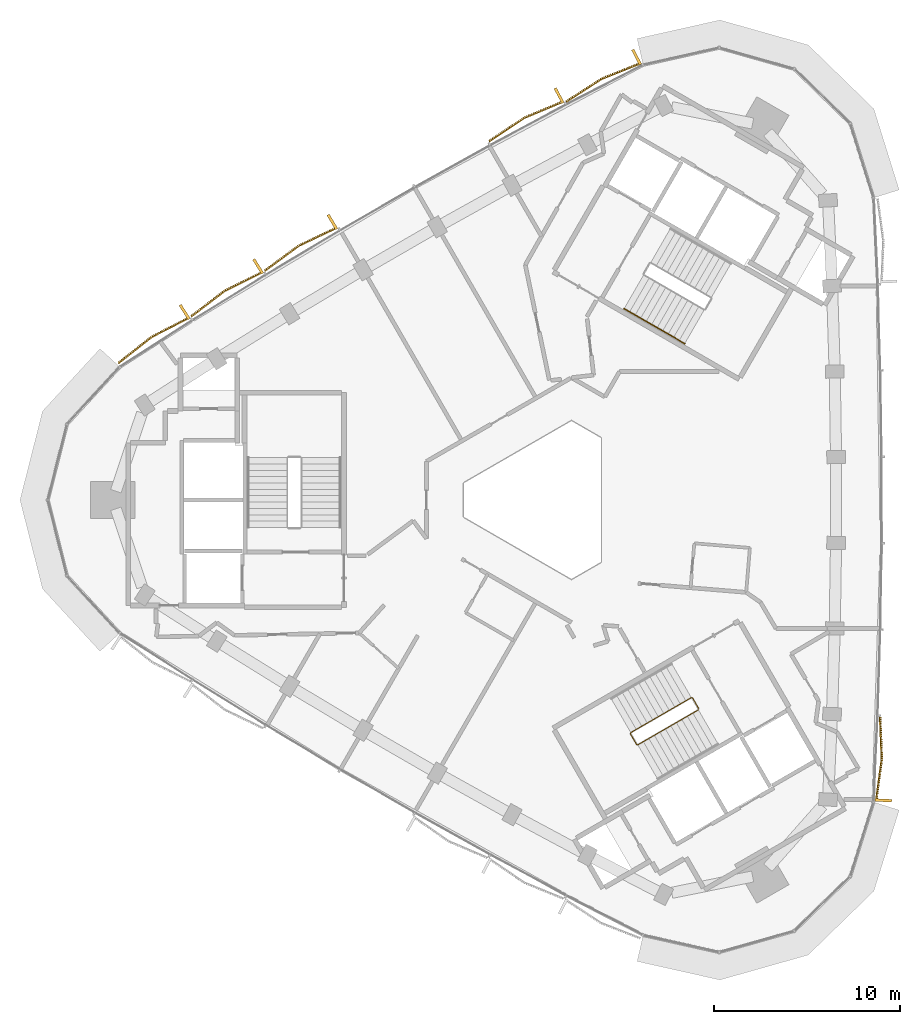
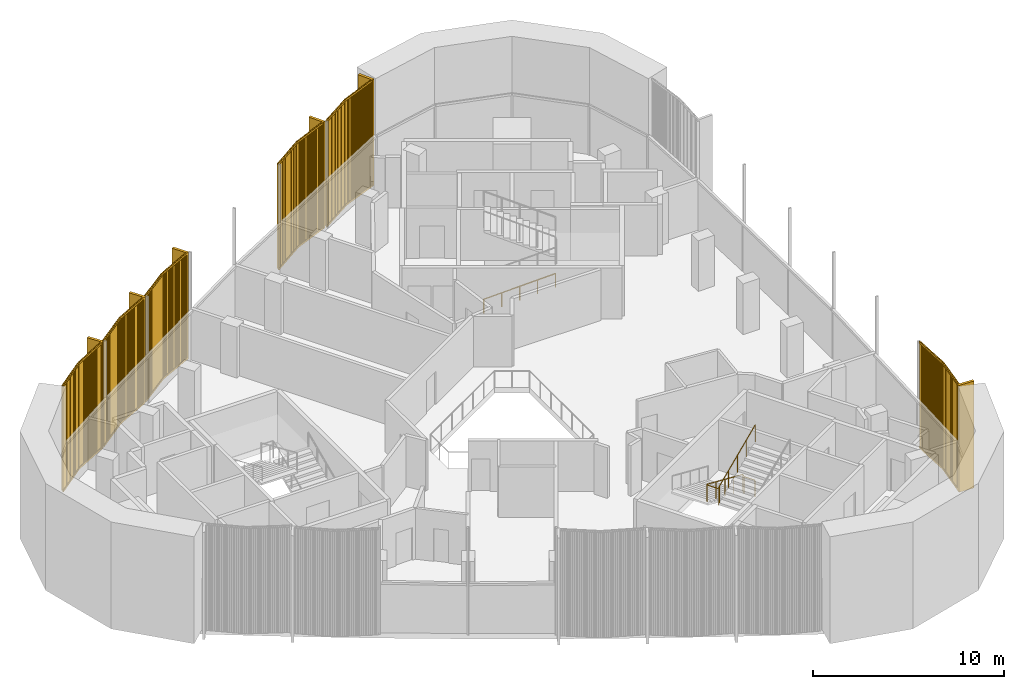
# One storey, part 11 of 12: 6 coverings, 2 railings.
"""IFC4 building model written with IfcOpenShell, lengths in metres."""

from ifc_helpers import new_model, si_unit, direction, frame, frame_2d, origin, origin_2d, place, context, subcontext, project, spatial, rectangle, circle, extrude, source, transform, mapped, material, type_object, element, save


model = new_model("IFC4")

# Units and contexts
model_context = context("Model", 3, precision=1e-05, world=origin(), true_north=direction((0.0, 1.0)))
body_context = subcontext(model_context, "Body", "Model", "MODEL_VIEW")
ifc_project = project(units=[si_unit("LENGTHUNIT", "METRE"), si_unit("AREAUNIT", "SQUARE_METRE"), si_unit("VOLUMEUNIT", "CUBIC_METRE"), si_unit("PLANEANGLEUNIT", "RADIAN"), si_unit("MASSUNIT", "GRAM", prefix="KILO")], contexts=[model_context])

# Site, building, storey
site_placement = place(None, origin())
site = spatial("IfcSite", under=ifc_project, at=site_placement, CompositionType="ELEMENT")
building_placement = place(site_placement, origin())
building = spatial("IfcBuilding", under=site, at=building_placement, Name="Tamra Quay Hotel Tower", CompositionType="ELEMENT")
storey_placement = place(building_placement, frame((0.0, 0.0, 273.0)))
storey = spatial("IfcBuildingStorey", under=building, at=storey_placement, Name="L69", CompositionType="ELEMENT", Elevation=273.0)

# Railings
ifc_material_1 = material(Name="Stair guard 1100")
railing_type_1 = type_object("IfcRailingType", Name="Stair guard 1100", PredefinedType="GUARDRAIL", material=ifc_material_1)
railing_1_placement = place(storey_placement, frame((8.245849609375, -11.221923828125, 0.0)))
element("IfcRailing", 1, at=railing_1_placement, inside=storey, type_object=railing_type_1, Name="GR", PredefinedType="GUARDRAIL", context=body_context, shape_type="SweptSolid", body=[
    extrude(circle(Radius=0.02392578125, at=origin_2d()), frame((0.0, 0.0, 1.076171875), z_axis=(-0.500043078269, 0.866000531106, 0.0), x_axis=(-0.866000531106, -0.500043078269, 0.0)), (0.0, 0.0, 1.0), 0.6591796875),
    extrude(circle(Radius=0.02392578125, at=origin_2d()), frame((-0.32958984375, 0.57080078125, 1.076171875), z_axis=(-0.41238007866, 0.110458949641, 0.904290601062), x_axis=(-0.258736085224, -0.965948051503, 0.0)), (0.0, 0.0, 1.0), 0.165771484375),
    extrude(circle(Radius=0.02392578125, at=origin_2d()), frame((-0.39794921875, 0.589111328125, 1.22607421875), z_axis=(-0.793081581205, -0.457901355053, 0.401681409319), x_axis=(0.500012686397, -0.866018079166, 0.0)), (0.0, 0.0, 1.0), 4.108154296875),
    extrude(circle(Radius=0.02392578125, at=origin_2d()), frame((-3.656005859375, -1.2919921875, 2.8759765625), z_axis=(-0.256368644879, -0.966579080015, 0.0), x_axis=(0.966579080015, -0.256368644879, 0.0)), (0.0, 0.0, 1.0), 0.070556640625),
    extrude(circle(Radius=0.02392578125, at=origin_2d()), frame((-3.674072265625, -1.360107421875, 2.8759765625), z_axis=(0.499765215335, -0.866160914346, 0.0), x_axis=(0.866160914346, 0.499765215335, 0.0)), (0.0, 0.0, 1.0), 0.658935546875),
    extrude(circle(Radius=0.02392578125, at=origin_2d()), frame((-3.3447265625, -1.930908203125, 2.8759765625), z_axis=(0.41238007866, -0.110458949641, 0.904290601062), x_axis=(0.258736085224, 0.965948051503, 0.0)), (0.0, 0.0, 1.0), 0.165771484375),
    extrude(circle(Radius=0.02392578125, at=origin_2d()), frame((-3.2763671875, -1.94921875, 3.02587890625), z_axis=(0.793081581205, 0.457901355053, 0.401681409319), x_axis=(-0.500012686397, 0.866018079166, 0.0)), (0.0, 0.0, 1.0), 4.108154296875),
    extrude(circle(Radius=0.02099609375, at=origin_2d()), origin(), (0.0, 0.0, 1.0), 1.052001953125),
    extrude(circle(Radius=0.02099609375, at=origin_2d()), frame((-0.32958984375, 0.57080078125, 0.0)), (0.0, 0.0, 1.0), 1.052001953125),
    extrude(circle(Radius=0.02099609375, at=origin_2d()), frame((-0.39794921875, 0.589111328125, 0.14990234375)), (0.0, 0.0, 1.0), 1.052001953125),
    extrude(circle(Radius=0.02099609375, at=origin_2d()), frame((-1.21240234375, 0.118896484375, 0.5625)), (0.0, 0.0, 1.0), 1.052001953125),
    extrude(circle(Radius=0.02099609375, at=origin_2d()), frame((-2.02685546875, -0.3515625, 0.97509765625)), (0.0, 0.0, 1.0), 1.052001953125),
    extrude(circle(Radius=0.02099609375, at=origin_2d()), frame((-2.841552734375, -0.82177734375, 1.387451171875)), (0.0, 0.0, 1.0), 1.052001953125),
    extrude(circle(Radius=0.02099609375, at=origin_2d()), frame((-3.656005859375, -1.2919921875, 1.800048828125)), (0.0, 0.0, 1.0), 1.052001953125),
    extrude(circle(Radius=0.02099609375, at=origin_2d()), frame((-3.674072265625, -1.360107421875, 1.800048828125)), (0.0, 0.0, 1.0), 1.052001953125),
    extrude(circle(Radius=0.02099609375, at=origin_2d()), frame((-3.3447265625, -1.930908203125, 1.800048828125)), (0.0, 0.0, 1.0), 1.052001953125),
    extrude(circle(Radius=0.02099609375, at=origin_2d()), frame((-3.2763671875, -1.94921875, 1.949951171875)), (0.0, 0.0, 1.0), 1.052001953125),
    extrude(circle(Radius=0.02099609375, at=origin_2d()), frame((-2.4619140625, -1.47900390625, 2.362548828125)), (0.0, 0.0, 1.0), 1.052001953125),
    extrude(circle(Radius=0.02099609375, at=origin_2d()), frame((-1.6474609375, -1.0087890625, 2.77490234375)), (0.0, 0.0, 1.0), 1.052001953125),
    extrude(circle(Radius=0.02099609375, at=origin_2d()), frame((-0.832763671875, -0.538330078125, 3.1875)), (0.0, 0.0, 1.0), 1.052001953125),
    extrude(circle(Radius=0.02099609375, at=origin_2d()), frame((-0.018310546875, -0.068115234375, 3.60009765625)), (0.0, 0.0, 1.0), 1.052001953125),
])
ifc_material_2 = material(Name="Stair handrail 900")
railing_type_2 = type_object("IfcRailingType", Name="Stair handrail 900", PredefinedType="HANDRAIL", material=ifc_material_2)
railing_2_placement = place(storey_placement, frame((4.234375, 10.294189453125, 0.14990234375)))
element("IfcRailing", 2, at=railing_2_placement, inside=storey, type_object=railing_type_2, Name="HR", PredefinedType="HANDRAIL", context=body_context, shape_type="SweptSolid", body=[
    extrude(circle(Radius=0.02392578125, at=origin_2d()), frame((0.0, 0.0, 0.8759765625), z_axis=(0.793103162556, -0.457854384738, 0.401692339881), x_axis=(0.499964013922, 0.86604617936, 0.0)), (0.0, 0.0, 1.0), 4.10791015625),
    extrude(circle(Radius=0.02099609375, at=origin_2d()), origin(), (0.0, 0.0, 1.0), 0.851806640625),
    extrude(circle(Radius=0.02099609375, at=origin_2d()), frame((0.814453125, -0.47021484375, 0.41259765625)), (0.0, 0.0, 1.0), 0.851806640625),
    extrude(circle(Radius=0.02099609375, at=origin_2d()), frame((1.62890625, -0.9404296875, 0.8251953125)), (0.0, 0.0, 1.0), 0.851806640625),
    extrude(circle(Radius=0.02099609375, at=origin_2d()), frame((2.443603515625, -1.41064453125, 1.237548828125)), (0.0, 0.0, 1.0), 0.851806640625),
    extrude(circle(Radius=0.02099609375, at=origin_2d()), frame((3.258056640625, -1.880859375, 1.650146484375)), (0.0, 0.0, 1.0), 0.851806640625),
])

# Coverings
ifc_material_3 = material(Name="Terracotta baguette extruded", Category="masonry")
covering_type_1 = type_object("IfcCoveringType", Name="BAGUETTE SCREEN E-V H6850", PredefinedType="USERDEFINED", material=ifc_material_3)
shared_shape_1 = source(origin(), body_context, "Body", "SweptSolid", [
    extrude(rectangle(XDim=2.291259765625, YDim=0.06005859375, at=frame_2d((1.1455078125, 0.030029296875))), frame((-2.287841796875, -0.057861328125, -0.1201171875), z_axis=(0.0, 0.0, 1.0), x_axis=(0.996194698092, -0.087155742748, 0.0)), (0.0, 0.0, 1.0), 0.1201171875),
    extrude(rectangle(XDim=2.291259765625, YDim=0.06005859375, at=frame_2d((1.1455078125, 0.030029296875))), frame((-2.287841796875, -0.057861328125, -6.85009765625), z_axis=(0.0, 0.0, 1.0), x_axis=(0.996194698092, -0.087155742748, 0.0)), (0.0, 0.0, 1.0), 0.1201171875),
    extrude(rectangle(XDim=0.070068359375, YDim=0.10009765625, at=frame_2d((0.03515625, 0.050048828125))), frame((-2.267822265625, -0.13232421875, -6.7900390625)), (0.0, 0.0, 1.0), 6.72998046875),
    extrude(rectangle(XDim=0.070068359375, YDim=0.10009765625, at=frame_2d((0.03515625, 0.050048828125))), frame((-2.168701171875, -0.14111328125, -6.7900390625)), (0.0, 0.0, 1.0), 6.72998046875),
    extrude(rectangle(XDim=0.070068359375, YDim=0.10009765625, at=frame_2d((0.03515625, 0.050048828125))), frame((-2.0693359375, -0.149658203125, -6.7900390625)), (0.0, 0.0, 1.0), 6.72998046875),
    extrude(rectangle(XDim=0.070068359375, YDim=0.10009765625, at=frame_2d((0.03515625, 0.050048828125))), frame((-1.97021484375, -0.158447265625, -6.7900390625)), (0.0, 0.0, 1.0), 6.72998046875),
    extrude(rectangle(XDim=0.070068359375, YDim=0.10009765625, at=frame_2d((0.03515625, 0.050048828125))), frame((-1.870849609375, -0.1669921875, -6.7900390625)), (0.0, 0.0, 1.0), 6.72998046875),
    extrude(rectangle(XDim=0.070068359375, YDim=0.10009765625, at=frame_2d((0.03515625, 0.050048828125))), frame((-1.771728515625, -0.17578125, -6.7900390625)), (0.0, 0.0, 1.0), 6.72998046875),
    extrude(rectangle(XDim=0.070068359375, YDim=0.10009765625, at=frame_2d((0.03515625, 0.050048828125))), frame((-1.67236328125, -0.184326171875, -6.7900390625)), (0.0, 0.0, 1.0), 6.72998046875),
    extrude(rectangle(XDim=0.070068359375, YDim=0.10009765625, at=frame_2d((0.03515625, 0.050048828125))), frame((-1.5732421875, -0.193115234375, -6.7900390625)), (0.0, 0.0, 1.0), 6.72998046875),
    extrude(rectangle(XDim=0.070068359375, YDim=0.10009765625, at=frame_2d((0.03515625, 0.050048828125))), frame((-1.473876953125, -0.201904296875, -6.7900390625)), (0.0, 0.0, 1.0), 6.72998046875),
    extrude(rectangle(XDim=0.070068359375, YDim=0.10009765625, at=frame_2d((0.03515625, 0.050048828125))), frame((-1.374755859375, -0.21044921875, -6.7900390625)), (0.0, 0.0, 1.0), 6.72998046875),
    extrude(rectangle(XDim=0.070068359375, YDim=0.10009765625, at=frame_2d((0.03515625, 0.050048828125))), frame((-1.275390625, -0.21923828125, -6.7900390625)), (0.0, 0.0, 1.0), 6.72998046875),
    extrude(rectangle(XDim=0.070068359375, YDim=0.10009765625, at=frame_2d((0.03515625, 0.050048828125))), frame((-1.17626953125, -0.227783203125, -6.7900390625)), (0.0, 0.0, 1.0), 6.72998046875),
    extrude(rectangle(XDim=0.070068359375, YDim=0.10009765625, at=frame_2d((0.03515625, 0.050048828125))), frame((-1.076904296875, -0.236572265625, -6.7900390625)), (0.0, 0.0, 1.0), 6.72998046875),
    extrude(rectangle(XDim=0.070068359375, YDim=0.10009765625, at=frame_2d((0.03515625, 0.050048828125))), frame((-0.977783203125, -0.2451171875, -6.7900390625)), (0.0, 0.0, 1.0), 6.72998046875),
    extrude(rectangle(XDim=0.070068359375, YDim=0.10009765625, at=frame_2d((0.03515625, 0.050048828125))), frame((-0.87841796875, -0.25390625, -6.7900390625)), (0.0, 0.0, 1.0), 6.72998046875),
    extrude(rectangle(XDim=0.070068359375, YDim=0.10009765625, at=frame_2d((0.03515625, 0.050048828125))), frame((-0.779296875, -0.2626953125, -6.7900390625)), (0.0, 0.0, 1.0), 6.72998046875),
    extrude(rectangle(XDim=0.070068359375, YDim=0.10009765625, at=frame_2d((0.03515625, 0.050048828125))), frame((-0.679931640625, -0.271240234375, -6.7900390625)), (0.0, 0.0, 1.0), 6.72998046875),
    extrude(rectangle(XDim=0.070068359375, YDim=0.10009765625, at=frame_2d((0.03515625, 0.050048828125))), frame((-0.580810546875, -0.280029296875, -6.7900390625)), (0.0, 0.0, 1.0), 6.72998046875),
    extrude(rectangle(XDim=0.070068359375, YDim=0.10009765625, at=frame_2d((0.03515625, 0.050048828125))), frame((-0.481689453125, -0.28857421875, -6.7900390625)), (0.0, 0.0, 1.0), 6.72998046875),
    extrude(rectangle(XDim=0.070068359375, YDim=0.10009765625, at=frame_2d((0.03515625, 0.050048828125))), frame((-0.38232421875, -0.29736328125, -6.7900390625)), (0.0, 0.0, 1.0), 6.72998046875),
    extrude(rectangle(XDim=0.070068359375, YDim=0.10009765625, at=frame_2d((0.03515625, 0.050048828125))), frame((-0.283203125, -0.305908203125, -6.7900390625)), (0.0, 0.0, 1.0), 6.72998046875),
    extrude(rectangle(XDim=0.070068359375, YDim=0.10009765625, at=frame_2d((0.03515625, 0.050048828125))), frame((-0.183837890625, -0.314697265625, -6.7900390625)), (0.0, 0.0, 1.0), 6.72998046875),
    extrude(rectangle(XDim=0.070068359375, YDim=0.10009765625, at=frame_2d((0.03515625, 0.050048828125))), frame((-0.084716796875, -0.3232421875, -6.7900390625)), (0.0, 0.0, 1.0), 6.72998046875),
    extrude(rectangle(XDim=2.291259765625, YDim=0.06005859375, at=frame_2d((1.1455078125, 0.030029296875))), frame((0.005126953125, -0.257568359375, -0.1201171875), z_axis=(0.0, 0.0, 1.0), x_axis=(0.996194698092, 0.087155742748, 0.0)), (0.0, 0.0, 1.0), 0.1201171875),
    extrude(rectangle(XDim=2.291259765625, YDim=0.06005859375, at=frame_2d((1.1455078125, 0.030029296875))), frame((0.005126953125, -0.257568359375, -6.85009765625), z_axis=(0.0, 0.0, 1.0), x_axis=(0.996194698092, 0.087155742748, 0.0)), (0.0, 0.0, 1.0), 0.1201171875),
    extrude(rectangle(XDim=0.070068359375, YDim=0.10009765625, at=frame_2d((0.03515625, 0.050048828125))), frame((0.0146484375, -0.3232421875, -6.7900390625)), (0.0, 0.0, 1.0), 6.72998046875),
    extrude(rectangle(XDim=0.070068359375, YDim=0.10009765625, at=frame_2d((0.03515625, 0.050048828125))), frame((0.11376953125, -0.314697265625, -6.7900390625)), (0.0, 0.0, 1.0), 6.72998046875),
    extrude(rectangle(XDim=0.070068359375, YDim=0.10009765625, at=frame_2d((0.03515625, 0.050048828125))), frame((0.213134765625, -0.305908203125, -6.7900390625)), (0.0, 0.0, 1.0), 6.72998046875),
    extrude(rectangle(XDim=0.070068359375, YDim=0.10009765625, at=frame_2d((0.03515625, 0.050048828125))), frame((0.312255859375, -0.29736328125, -6.7900390625)), (0.0, 0.0, 1.0), 6.72998046875),
    extrude(rectangle(XDim=0.070068359375, YDim=0.10009765625, at=frame_2d((0.03515625, 0.050048828125))), frame((0.41162109375, -0.28857421875, -6.7900390625)), (0.0, 0.0, 1.0), 6.72998046875),
    extrude(rectangle(XDim=0.070068359375, YDim=0.10009765625, at=frame_2d((0.03515625, 0.050048828125))), frame((0.5107421875, -0.280029296875, -6.7900390625)), (0.0, 0.0, 1.0), 6.72998046875),
    extrude(rectangle(XDim=0.070068359375, YDim=0.10009765625, at=frame_2d((0.03515625, 0.050048828125))), frame((0.610107421875, -0.271240234375, -6.7900390625)), (0.0, 0.0, 1.0), 6.72998046875),
    extrude(rectangle(XDim=0.070068359375, YDim=0.10009765625, at=frame_2d((0.03515625, 0.050048828125))), frame((0.709228515625, -0.2626953125, -6.7900390625)), (0.0, 0.0, 1.0), 6.72998046875),
    extrude(rectangle(XDim=0.070068359375, YDim=0.10009765625, at=frame_2d((0.03515625, 0.050048828125))), frame((0.80859375, -0.25390625, -6.7900390625)), (0.0, 0.0, 1.0), 6.72998046875),
    extrude(rectangle(XDim=0.070068359375, YDim=0.10009765625, at=frame_2d((0.03515625, 0.050048828125))), frame((0.90771484375, -0.2451171875, -6.7900390625)), (0.0, 0.0, 1.0), 6.72998046875),
    extrude(rectangle(XDim=0.070068359375, YDim=0.10009765625, at=frame_2d((0.03515625, 0.050048828125))), frame((1.007080078125, -0.236572265625, -6.7900390625)), (0.0, 0.0, 1.0), 6.72998046875),
    extrude(rectangle(XDim=0.070068359375, YDim=0.10009765625, at=frame_2d((0.03515625, 0.050048828125))), frame((1.106201171875, -0.227783203125, -6.7900390625)), (0.0, 0.0, 1.0), 6.72998046875),
    extrude(rectangle(XDim=0.070068359375, YDim=0.10009765625, at=frame_2d((0.03515625, 0.050048828125))), frame((1.20556640625, -0.21923828125, -6.7900390625)), (0.0, 0.0, 1.0), 6.72998046875),
    extrude(rectangle(XDim=0.070068359375, YDim=0.10009765625, at=frame_2d((0.03515625, 0.050048828125))), frame((1.3046875, -0.21044921875, -6.7900390625)), (0.0, 0.0, 1.0), 6.72998046875),
    extrude(rectangle(XDim=0.070068359375, YDim=0.10009765625, at=frame_2d((0.03515625, 0.050048828125))), frame((1.404052734375, -0.201904296875, -6.7900390625)), (0.0, 0.0, 1.0), 6.72998046875),
    extrude(rectangle(XDim=0.070068359375, YDim=0.10009765625, at=frame_2d((0.03515625, 0.050048828125))), frame((1.503173828125, -0.193115234375, -6.7900390625)), (0.0, 0.0, 1.0), 6.72998046875),
    extrude(rectangle(XDim=0.070068359375, YDim=0.10009765625, at=frame_2d((0.03515625, 0.050048828125))), frame((1.6025390625, -0.184326171875, -6.7900390625)), (0.0, 0.0, 1.0), 6.72998046875),
    extrude(rectangle(XDim=0.070068359375, YDim=0.10009765625, at=frame_2d((0.03515625, 0.050048828125))), frame((1.70166015625, -0.17578125, -6.7900390625)), (0.0, 0.0, 1.0), 6.72998046875),
    extrude(rectangle(XDim=0.070068359375, YDim=0.10009765625, at=frame_2d((0.03515625, 0.050048828125))), frame((1.801025390625, -0.1669921875, -6.7900390625)), (0.0, 0.0, 1.0), 6.72998046875),
    extrude(rectangle(XDim=0.070068359375, YDim=0.10009765625, at=frame_2d((0.03515625, 0.050048828125))), frame((1.900146484375, -0.158447265625, -6.7900390625)), (0.0, 0.0, 1.0), 6.72998046875),
    extrude(rectangle(XDim=0.070068359375, YDim=0.10009765625, at=frame_2d((0.03515625, 0.050048828125))), frame((1.99951171875, -0.149658203125, -6.7900390625)), (0.0, 0.0, 1.0), 6.72998046875),
    extrude(rectangle(XDim=0.070068359375, YDim=0.10009765625, at=frame_2d((0.03515625, 0.050048828125))), frame((2.0986328125, -0.14111328125, -6.7900390625)), (0.0, 0.0, 1.0), 6.72998046875),
    extrude(rectangle(XDim=0.070068359375, YDim=0.10009765625, at=frame_2d((0.03515625, 0.050048828125))), frame((2.197998046875, -0.13232421875, -6.7900390625)), (0.0, 0.0, 1.0), 6.72998046875),
    extrude(rectangle(XDim=0.14990234375, YDim=0.902099609375, at=frame_2d((0.074951171875, 0.451171875))), frame((-2.282470703125, -0.89990234375, -6.85009765625)), (0.0, 0.0, 1.0), 6.85009765625),
])
covering_placement = place(storey_placement, frame((17.83544921875, -13.934326171875, 6.85009765625), z_axis=(0.0, 0.0, 1.0), x_axis=(0.046821223335, 0.998903285131, 0.0)))
element("IfcCovering", 3, at=covering_placement, inside=storey, type_object=covering_type_1, Name="Baguette screen L69.E.f00", ObjectType="BAGUETTE SCREEN", PredefinedType="USERDEFINED", context=body_context, shape_type="MappedRepresentation", body=[
    mapped(shared_shape_1, transform((0.0, 0.0, 0.0), scale=1.0)),
])
covering_type_2 = type_object("IfcCoveringType", Name="BAGUETTE SCREEN NW-V H6850", PredefinedType="USERDEFINED", material=ifc_material_3)
shared_shape_2 = source(origin(), body_context, "Body", "SweptSolid", [
    extrude(rectangle(XDim=2.29296875, YDim=0.06005859375, at=frame_2d((1.146484375, 0.030029296875))), frame((-2.288330078125, -0.0576171875, -0.1201171875), z_axis=(0.0, 0.0, 1.0), x_axis=(0.995396198367, -0.09584575252, 0.0)), (0.0, 0.0, 1.0), 0.1201171875),
    extrude(rectangle(XDim=2.29296875, YDim=0.06005859375, at=frame_2d((1.146484375, 0.030029296875))), frame((-2.288330078125, -0.0576171875, -6.85009765625), z_axis=(0.0, 0.0, 1.0), x_axis=(0.995396198367, -0.09584575252, 0.0)), (0.0, 0.0, 1.0), 0.1201171875),
    extrude(rectangle(XDim=0.070068359375, YDim=0.10009765625, at=frame_2d((0.03515625, 0.050048828125))), frame((-2.267822265625, -0.1328125, -6.7900390625)), (0.0, 0.0, 1.0), 6.72998046875),
    extrude(rectangle(XDim=0.070068359375, YDim=0.10009765625, at=frame_2d((0.03515625, 0.050048828125))), frame((-2.168701171875, -0.142333984375, -6.7900390625)), (0.0, 0.0, 1.0), 6.72998046875),
    extrude(rectangle(XDim=0.070068359375, YDim=0.10009765625, at=frame_2d((0.03515625, 0.050048828125))), frame((-2.0693359375, -0.15185546875, -6.7900390625)), (0.0, 0.0, 1.0), 6.72998046875),
    extrude(rectangle(XDim=0.070068359375, YDim=0.10009765625, at=frame_2d((0.03515625, 0.050048828125))), frame((-1.97021484375, -0.161376953125, -6.7900390625)), (0.0, 0.0, 1.0), 6.72998046875),
    extrude(rectangle(XDim=0.070068359375, YDim=0.10009765625, at=frame_2d((0.03515625, 0.050048828125))), frame((-1.870849609375, -0.1708984375, -6.7900390625)), (0.0, 0.0, 1.0), 6.72998046875),
    extrude(rectangle(XDim=0.070068359375, YDim=0.10009765625, at=frame_2d((0.03515625, 0.050048828125))), frame((-1.771728515625, -0.1806640625, -6.7900390625)), (0.0, 0.0, 1.0), 6.72998046875),
    extrude(rectangle(XDim=0.070068359375, YDim=0.10009765625, at=frame_2d((0.03515625, 0.050048828125))), frame((-1.67236328125, -0.190185546875, -6.7900390625)), (0.0, 0.0, 1.0), 6.72998046875),
    extrude(rectangle(XDim=0.070068359375, YDim=0.10009765625, at=frame_2d((0.03515625, 0.050048828125))), frame((-1.5732421875, -0.19970703125, -6.7900390625)), (0.0, 0.0, 1.0), 6.72998046875),
    extrude(rectangle(XDim=0.070068359375, YDim=0.10009765625, at=frame_2d((0.03515625, 0.050048828125))), frame((-1.473876953125, -0.209228515625, -6.7900390625)), (0.0, 0.0, 1.0), 6.72998046875),
    extrude(rectangle(XDim=0.070068359375, YDim=0.10009765625, at=frame_2d((0.03515625, 0.050048828125))), frame((-1.374755859375, -0.21875, -6.7900390625)), (0.0, 0.0, 1.0), 6.72998046875),
    extrude(rectangle(XDim=0.070068359375, YDim=0.10009765625, at=frame_2d((0.03515625, 0.050048828125))), frame((-1.275390625, -0.228271484375, -6.7900390625)), (0.0, 0.0, 1.0), 6.72998046875),
    extrude(rectangle(XDim=0.070068359375, YDim=0.10009765625, at=frame_2d((0.03515625, 0.050048828125))), frame((-1.17626953125, -0.23779296875, -6.7900390625)), (0.0, 0.0, 1.0), 6.72998046875),
    extrude(rectangle(XDim=0.070068359375, YDim=0.10009765625, at=frame_2d((0.03515625, 0.050048828125))), frame((-1.076904296875, -0.24755859375, -6.7900390625)), (0.0, 0.0, 1.0), 6.72998046875),
    extrude(rectangle(XDim=0.070068359375, YDim=0.10009765625, at=frame_2d((0.03515625, 0.050048828125))), frame((-0.977783203125, -0.257080078125, -6.7900390625)), (0.0, 0.0, 1.0), 6.72998046875),
    extrude(rectangle(XDim=0.070068359375, YDim=0.10009765625, at=frame_2d((0.03515625, 0.050048828125))), frame((-0.87841796875, -0.2666015625, -6.7900390625)), (0.0, 0.0, 1.0), 6.72998046875),
    extrude(rectangle(XDim=0.070068359375, YDim=0.10009765625, at=frame_2d((0.03515625, 0.050048828125))), frame((-0.779296875, -0.276123046875, -6.7900390625)), (0.0, 0.0, 1.0), 6.72998046875),
    extrude(rectangle(XDim=0.070068359375, YDim=0.10009765625, at=frame_2d((0.03515625, 0.050048828125))), frame((-0.679931640625, -0.28564453125, -6.7900390625)), (0.0, 0.0, 1.0), 6.72998046875),
    extrude(rectangle(XDim=0.070068359375, YDim=0.10009765625, at=frame_2d((0.03515625, 0.050048828125))), frame((-0.580810546875, -0.295166015625, -6.7900390625)), (0.0, 0.0, 1.0), 6.72998046875),
    extrude(rectangle(XDim=0.070068359375, YDim=0.10009765625, at=frame_2d((0.03515625, 0.050048828125))), frame((-0.481689453125, -0.3046875, -6.7900390625)), (0.0, 0.0, 1.0), 6.72998046875),
    extrude(rectangle(XDim=0.070068359375, YDim=0.10009765625, at=frame_2d((0.03515625, 0.050048828125))), frame((-0.38232421875, -0.314453125, -6.7900390625)), (0.0, 0.0, 1.0), 6.72998046875),
    extrude(rectangle(XDim=0.070068359375, YDim=0.10009765625, at=frame_2d((0.03515625, 0.050048828125))), frame((-0.283203125, -0.323974609375, -6.7900390625)), (0.0, 0.0, 1.0), 6.72998046875),
    extrude(rectangle(XDim=0.070068359375, YDim=0.10009765625, at=frame_2d((0.03515625, 0.050048828125))), frame((-0.183837890625, -0.33349609375, -6.7900390625)), (0.0, 0.0, 1.0), 6.72998046875),
    extrude(rectangle(XDim=0.070068359375, YDim=0.10009765625, at=frame_2d((0.03515625, 0.050048828125))), frame((-0.084716796875, -0.343017578125, -6.7900390625)), (0.0, 0.0, 1.0), 6.72998046875),
    extrude(rectangle(XDim=2.29296875, YDim=0.06005859375, at=frame_2d((1.146484375, 0.030029296875))), frame((0.005859375, -0.277587890625, -0.1201171875), z_axis=(0.0, 0.0, 1.0), x_axis=(0.995396198367, 0.09584575252, 0.0)), (0.0, 0.0, 1.0), 0.1201171875),
    extrude(rectangle(XDim=2.29296875, YDim=0.06005859375, at=frame_2d((1.146484375, 0.030029296875))), frame((0.005859375, -0.277587890625, -6.85009765625), z_axis=(0.0, 0.0, 1.0), x_axis=(0.995396198367, 0.09584575252, 0.0)), (0.0, 0.0, 1.0), 0.1201171875),
    extrude(rectangle(XDim=0.070068359375, YDim=0.10009765625, at=frame_2d((0.03515625, 0.050048828125))), frame((0.0146484375, -0.343017578125, -6.7900390625)), (0.0, 0.0, 1.0), 6.72998046875),
    extrude(rectangle(XDim=0.070068359375, YDim=0.10009765625, at=frame_2d((0.03515625, 0.050048828125))), frame((0.11376953125, -0.33349609375, -6.7900390625)), (0.0, 0.0, 1.0), 6.72998046875),
    extrude(rectangle(XDim=0.070068359375, YDim=0.10009765625, at=frame_2d((0.03515625, 0.050048828125))), frame((0.213134765625, -0.323974609375, -6.7900390625)), (0.0, 0.0, 1.0), 6.72998046875),
    extrude(rectangle(XDim=0.070068359375, YDim=0.10009765625, at=frame_2d((0.03515625, 0.050048828125))), frame((0.312255859375, -0.314453125, -6.7900390625)), (0.0, 0.0, 1.0), 6.72998046875),
    extrude(rectangle(XDim=0.070068359375, YDim=0.10009765625, at=frame_2d((0.03515625, 0.050048828125))), frame((0.41162109375, -0.3046875, -6.7900390625)), (0.0, 0.0, 1.0), 6.72998046875),
    extrude(rectangle(XDim=0.070068359375, YDim=0.10009765625, at=frame_2d((0.03515625, 0.050048828125))), frame((0.5107421875, -0.295166015625, -6.7900390625)), (0.0, 0.0, 1.0), 6.72998046875),
    extrude(rectangle(XDim=0.070068359375, YDim=0.10009765625, at=frame_2d((0.03515625, 0.050048828125))), frame((0.610107421875, -0.28564453125, -6.7900390625)), (0.0, 0.0, 1.0), 6.72998046875),
    extrude(rectangle(XDim=0.070068359375, YDim=0.10009765625, at=frame_2d((0.03515625, 0.050048828125))), frame((0.709228515625, -0.276123046875, -6.7900390625)), (0.0, 0.0, 1.0), 6.72998046875),
    extrude(rectangle(XDim=0.070068359375, YDim=0.10009765625, at=frame_2d((0.03515625, 0.050048828125))), frame((0.80859375, -0.2666015625, -6.7900390625)), (0.0, 0.0, 1.0), 6.72998046875),
    extrude(rectangle(XDim=0.070068359375, YDim=0.10009765625, at=frame_2d((0.03515625, 0.050048828125))), frame((0.90771484375, -0.257080078125, -6.7900390625)), (0.0, 0.0, 1.0), 6.72998046875),
    extrude(rectangle(XDim=0.070068359375, YDim=0.10009765625, at=frame_2d((0.03515625, 0.050048828125))), frame((1.007080078125, -0.24755859375, -6.7900390625)), (0.0, 0.0, 1.0), 6.72998046875),
    extrude(rectangle(XDim=0.070068359375, YDim=0.10009765625, at=frame_2d((0.03515625, 0.050048828125))), frame((1.106201171875, -0.23779296875, -6.7900390625)), (0.0, 0.0, 1.0), 6.72998046875),
    extrude(rectangle(XDim=0.070068359375, YDim=0.10009765625, at=frame_2d((0.03515625, 0.050048828125))), frame((1.20556640625, -0.228271484375, -6.7900390625)), (0.0, 0.0, 1.0), 6.72998046875),
    extrude(rectangle(XDim=0.070068359375, YDim=0.10009765625, at=frame_2d((0.03515625, 0.050048828125))), frame((1.3046875, -0.21875, -6.7900390625)), (0.0, 0.0, 1.0), 6.72998046875),
    extrude(rectangle(XDim=0.070068359375, YDim=0.10009765625, at=frame_2d((0.03515625, 0.050048828125))), frame((1.404052734375, -0.209228515625, -6.7900390625)), (0.0, 0.0, 1.0), 6.72998046875),
    extrude(rectangle(XDim=0.070068359375, YDim=0.10009765625, at=frame_2d((0.03515625, 0.050048828125))), frame((1.503173828125, -0.19970703125, -6.7900390625)), (0.0, 0.0, 1.0), 6.72998046875),
    extrude(rectangle(XDim=0.070068359375, YDim=0.10009765625, at=frame_2d((0.03515625, 0.050048828125))), frame((1.6025390625, -0.190185546875, -6.7900390625)), (0.0, 0.0, 1.0), 6.72998046875),
    extrude(rectangle(XDim=0.070068359375, YDim=0.10009765625, at=frame_2d((0.03515625, 0.050048828125))), frame((1.70166015625, -0.1806640625, -6.7900390625)), (0.0, 0.0, 1.0), 6.72998046875),
    extrude(rectangle(XDim=0.070068359375, YDim=0.10009765625, at=frame_2d((0.03515625, 0.050048828125))), frame((1.801025390625, -0.1708984375, -6.7900390625)), (0.0, 0.0, 1.0), 6.72998046875),
    extrude(rectangle(XDim=0.070068359375, YDim=0.10009765625, at=frame_2d((0.03515625, 0.050048828125))), frame((1.900146484375, -0.161376953125, -6.7900390625)), (0.0, 0.0, 1.0), 6.72998046875),
    extrude(rectangle(XDim=0.070068359375, YDim=0.10009765625, at=frame_2d((0.03515625, 0.050048828125))), frame((1.99951171875, -0.15185546875, -6.7900390625)), (0.0, 0.0, 1.0), 6.72998046875),
    extrude(rectangle(XDim=0.070068359375, YDim=0.10009765625, at=frame_2d((0.03515625, 0.050048828125))), frame((2.0986328125, -0.142333984375, -6.7900390625)), (0.0, 0.0, 1.0), 6.72998046875),
    extrude(rectangle(XDim=0.070068359375, YDim=0.10009765625, at=frame_2d((0.03515625, 0.050048828125))), frame((2.197998046875, -0.1328125, -6.7900390625)), (0.0, 0.0, 1.0), 6.72998046875),
    extrude(rectangle(XDim=0.14990234375, YDim=0.902099609375, at=frame_2d((0.074951171875, 0.451171875))), frame((-2.282470703125, -0.89990234375, -6.85009765625)), (0.0, 0.0, 1.0), 6.85009765625),
])
for number, where, z_axis, x_axis, name in (
    (4, (3.149658203125, 22.4130859375, 6.85009765625), (0.0, 0.0, 1.0), (-0.888486232515, -0.458903273721, 0.0), "Baguette screen L69.NW.f00"),
    (5, (-0.99951171875, 20.3193359375, 6.85009765625), (0.0, 0.0, 1.0), (-0.881223539128, -0.472699771618, 0.0), "Baguette screen L69.NW.f01"),
    (6, (-13.128173828125, 13.442626953125, 6.85009765625), (0.0, 0.0, 1.0), (-0.858103115218, -0.513477403254, 0.0), "Baguette screen L69.NW.f04"),
    (7, (-17.09716796875, 11.025390625, 6.85009765625), (0.0, 0.0, 1.0), (-0.849981780148, -0.526812085489, 0.0), "Baguette screen L69.NW.f05"),
    (8, (-21.0283203125, 8.546142578125, 6.85009765625), (0.0, 0.0, 1.0), (-0.841665009179, -0.54000001141, 0.0), "Baguette screen L69.NW.f06"),
):
    element("IfcCovering", number, at=place(storey_placement, frame(where, z_axis=z_axis, x_axis=x_axis)), inside=storey, type_object=covering_type_2, Name=name, ObjectType="BAGUETTE SCREEN", PredefinedType="USERDEFINED", context=body_context, shape_type="MappedRepresentation", body=[
        mapped(shared_shape_2, transform((0.0, 0.0, 0.0), scale=1.0)),
    ])

save(model, "model.ifc")
